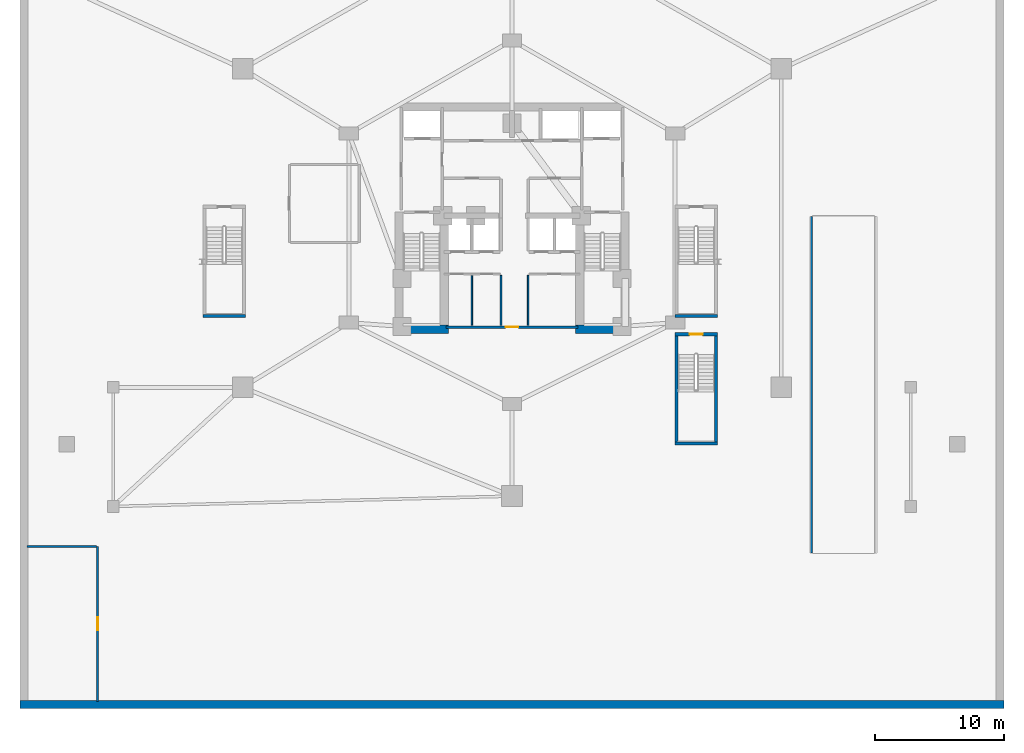
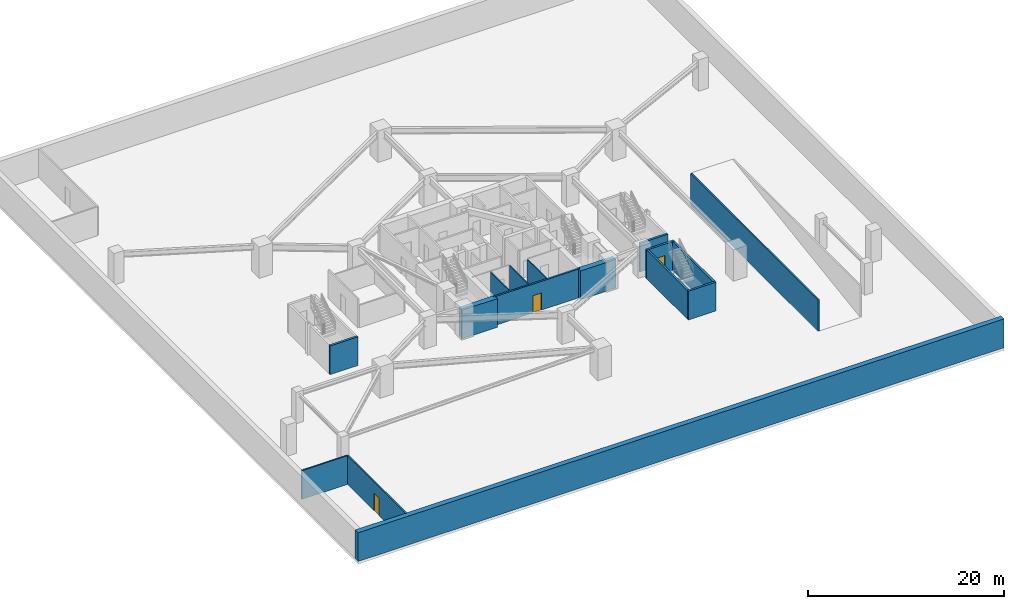
# One storey, part 5 of 12: 16 walls, 3 doors, 3 openings.
"""IFC4 building model written with IfcOpenShell, lengths in metres."""

import ifcopenshell
import ifcopenshell.guid

model = None  # the IFC model being written
_history = None  # IfcOwnerHistory: only IFC2X3 demands one
_inside = {}  # id of a spatial element -> (the spatial element, [elements in it])
_under = {}  # id of a project, library or spatial element -> (it, [spatial elements below it])
_declared = {}  # id of a project -> (the project, [libraries it declares])
_typed = {}  # id of a type object -> (the type object, [elements of that type])
_made_of = {}  # id of a material, layer set ... -> (it, [elements and type objects made of it])


def new_model(schema):
    """Start an empty IFC model of exactly this schema.

    Asked for "IFC4X3", IfcOpenShell would pick the latest addendum, in which some entities
    have other attributes; the version numbers below select the first issue.
    IFC2X3 requires an IfcOwnerHistory on every rooted entity: one is made here for all.
    """
    global model, _history
    if schema == "IFC4X3":
        model = ifcopenshell.file(schema_version=(4, 3, 0, 0))
    else:
        model = ifcopenshell.file(schema=schema)
    _inside.clear()
    _under.clear()
    _declared.clear()
    _typed.clear()
    _made_of.clear()
    _history = None
    if model.schema == "IFC2X3":
        org = make("IfcOrganization", Name="unknown")
        user = make(
            "IfcPersonAndOrganization",
            ThePerson=make("IfcPerson", FamilyName="unknown"),
            TheOrganization=org,
        )
        app = make(
            "IfcApplication",
            ApplicationDeveloper=org,
            Version="unknown",
            ApplicationFullName="unknown",
            ApplicationIdentifier="unknown",
        )
        _history = make(
            "IfcOwnerHistory",
            OwningUser=user,
            OwningApplication=app,
            ChangeAction="ADDED",
            CreationDate=0,
        )
    return model


def make(cls, **values):
    """One entity of the class cls with the attributes given. An attribute that is None is left unset."""
    return model.create_entity(
        cls, **{name: value for name, value in values.items() if value is not None}
    )


def rooted(cls, **values):
    """An entity with a GlobalId (a new one), such as an element, a storey or a relation."""
    return make(cls, GlobalId=ifcopenshell.guid.new(), OwnerHistory=_history, **values)


def si_unit(unit_type, name, prefix=None):
    """IfcSIUnit, for example si_unit("LENGTHUNIT", "METRE", prefix="MILLI")."""
    return make("IfcSIUnit", UnitType=unit_type, Prefix=prefix, Name=name)


def assignment(units):
    """IfcUnitAssignment: the units of a project."""
    return None if units is None else make("IfcUnitAssignment", Units=units)


def point(xyz):
    """IfcCartesianPoint."""
    return None if xyz is None else make("IfcCartesianPoint", Coordinates=xyz)


def direction(xyz):
    """IfcDirection."""
    return None if xyz is None else make("IfcDirection", DirectionRatios=xyz)


def frame(location, z_axis=None, x_axis=None):
    """IfcAxis2Placement3D, a coordinate frame: its origin and axes. An axis left out is left unset."""
    return make(
        "IfcAxis2Placement3D",
        Location=point(location),
        Axis=direction(z_axis),
        RefDirection=direction(x_axis),
    )


def frame_2d(location, x_axis=None):
    """IfcAxis2Placement2D, a coordinate frame in the plane: its origin and x axis."""
    return make(
        "IfcAxis2Placement2D", Location=point(location), RefDirection=direction(x_axis)
    )


def origin():
    """The frame at (0, 0, 0) with its axes left unset."""
    return frame((0.0, 0.0, 0.0))


def place(relative_to, where):
    """IfcLocalPlacement: puts the frame where relative to a parent placement (None: the world)."""
    return make(
        "IfcLocalPlacement", PlacementRelTo=relative_to, RelativePlacement=where
    )


def context(
    kind, dimensions, precision=None, world=None, true_north=None, identifier=None
):
    """IfcGeometricRepresentationContext, for example the 3D "Model" context."""
    return make(
        "IfcGeometricRepresentationContext",
        ContextIdentifier=identifier,
        ContextType=kind,
        CoordinateSpaceDimension=dimensions,
        Precision=precision,
        WorldCoordinateSystem=world,
        TrueNorth=true_north,
    )


def subcontext(parent, identifier, kind, view, scale=None):
    """IfcGeometricRepresentationSubContext, for example "Body" below "Model"."""
    return make(
        "IfcGeometricRepresentationSubContext",
        ContextIdentifier=identifier,
        ContextType=kind,
        ParentContext=parent,
        TargetScale=scale,
        TargetView=view,
    )


def project(units=None, contexts=None):
    """IfcProject with its units and contexts."""
    return rooted(
        "IfcProject",
        Name="project",
        RepresentationContexts=contexts,
        UnitsInContext=assignment(units),
    )


def spatial(cls, under=None, at=None, **own):
    """A site, building, storey or space (cls), placed at a placement, below another one or the project."""
    s = rooted(cls, ObjectPlacement=at, **own)
    if under is not None:
        _under.setdefault(under.id(), (under, []))[1].append(s)
    return s


def profile(cls, at=None, kind="AREA", **sizes):
    """A parametric profile (cls). Its sizes go by their IFC names, for example OverallWidth=200.0."""
    return make(cls, ProfileType=kind, Position=at, **sizes)


def rectangle(**sizes):
    """IfcRectangleProfileDef."""
    return profile("IfcRectangleProfileDef", **sizes)


def extrude(swept, where, along, depth):
    """IfcExtrudedAreaSolid: the profile swept, set in the frame where, extruded along a direction by depth."""
    return make(
        "IfcExtrudedAreaSolid",
        SweptArea=swept,
        Position=where,
        ExtrudedDirection=direction(along),
        Depth=depth,
    )


def shape(context_of_items, identifier, shape_type, items):
    """IfcShapeRepresentation: the items that make up one representation, for example the "Body"."""
    return make(
        "IfcShapeRepresentation",
        ContextOfItems=context_of_items,
        RepresentationIdentifier=identifier,
        RepresentationType=shape_type,
        Items=items,
    )


def material(Name=None, Category=None):
    """IfcMaterial."""
    return make("IfcMaterial", Name=Name, Category=Category)


def layer(
    of_material, thickness, ventilated=None, Name=None, Category=None, Priority=None
):
    """IfcMaterialLayer: one layer of a wall or slab, of a material (None: an air gap)."""
    return make(
        "IfcMaterialLayer",
        Material=of_material,
        LayerThickness=thickness,
        IsVentilated=ventilated,
        Name=Name,
        Category=Category,
        Priority=Priority,
    )


def layer_set(layers, Name=None):
    """IfcMaterialLayerSet."""
    return make("IfcMaterialLayerSet", MaterialLayers=layers, LayerSetName=Name)


def made_of(thing, what):
    """Note that an element or type object is made of a material, layer set ...; save() writes the relation."""
    if what is not None:
        _made_of.setdefault(what.id(), (what, []))[1].append(thing)
    return thing


def type_object(cls, material=None, **own):
    """A type object (cls), such as IfcWallType, which elements share."""
    return made_of(rooted(cls, **own), material)


def element(
    cls,
    number,
    at=None,
    inside=None,
    cuts=None,
    type_object=None,
    material=None,
    context=None,
    identifier="Body",
    shape_type=None,
    held_by="IfcProductDefinitionShape",
    body=None,
    shapes=None,
    **own,
):
    """One element of the class cls, such as IfcWall. Its Tag is "e" and its number.

    at: its placement. inside: the storey or other place that contains it. cuts: it is an
    opening in that element (IfcRelVoidsElement). A single representation is given by context,
    identifier, shape_type and body (its items); several are given by shapes. held_by: the class
    of the entity that holds the representations. save() writes the other relations.
    """
    e = rooted(cls, Tag="e%d" % number, ObjectPlacement=at, **own)
    if body is not None:
        shapes = [shape(context, identifier, shape_type, body)]
    if shapes is not None:
        e.Representation = make(held_by, Representations=shapes)
    if inside is not None:
        _inside.setdefault(inside.id(), (inside, []))[1].append(e)
    if cuts is not None:
        rooted(
            "IfcRelVoidsElement", RelatingBuildingElement=cuts, RelatedOpeningElement=e
        )
    if type_object is not None:
        _typed.setdefault(type_object.id(), (type_object, []))[1].append(e)
    return made_of(e, material)


def fill(opening, filler):
    """IfcRelFillsElement: the door or window that sits in an opening."""
    return rooted(
        "IfcRelFillsElement",
        RelatingOpeningElement=opening,
        RelatedBuildingElement=filler,
    )


def aggregate(whole, parts):
    """IfcRelAggregates: a whole, such as a stair, and the parts it consists of."""
    return rooted("IfcRelAggregates", RelatingObject=whole, RelatedObjects=parts)


def save(model, path):
    """Write the relations noted so far, then the file.

    IfcRelAggregates (storeys below a building ...), IfcRelContainedInSpatialStructure (elements
    in a storey), IfcRelDefinesByType, IfcRelAssociatesMaterial and IfcRelDeclares: one each for
    every whole, place, type object, material and project.
    """
    for whole, parts in _under.values():
        aggregate(whole, parts)
    for where, things in _inside.values():
        rooted(
            "IfcRelContainedInSpatialStructure",
            RelatedElements=things,
            RelatingStructure=where,
        )
    for kind, things in _typed.values():
        rooted("IfcRelDefinesByType", RelatedObjects=things, RelatingType=kind)
    for what, things in _made_of.values():
        rooted("IfcRelAssociatesMaterial", RelatedObjects=things, RelatingMaterial=what)
    for by, libraries in _declared.values():
        rooted("IfcRelDeclares", RelatingContext=by, RelatedDefinitions=libraries)
    model.write(path)


model = new_model("IFC4")

# Units and contexts
model_context = context("Model", 3, precision=1e-05, world=origin(), true_north=direction((0.0, 1.0)))
body_context = subcontext(model_context, "Body", "Model", "MODEL_VIEW")
ifc_project = project(units=[si_unit("LENGTHUNIT", "METRE"), si_unit("AREAUNIT", "SQUARE_METRE"), si_unit("VOLUMEUNIT", "CUBIC_METRE"), si_unit("PLANEANGLEUNIT", "RADIAN"), si_unit("MASSUNIT", "GRAM", prefix="KILO")], contexts=[model_context])

# Site, building, storey
site_placement = place(None, origin())
site = spatial("IfcSite", under=ifc_project, at=site_placement, CompositionType="ELEMENT")
building_placement = place(site_placement, origin())
building = spatial("IfcBuilding", under=site, at=building_placement, Name="Miruveldt Soraemaru", CompositionType="ELEMENT")
storey_placement = place(building_placement, frame((0.0, 0.0, -11.699951171875)))
storey = spatial("IfcBuildingStorey", under=building, at=storey_placement, Name="B3", CompositionType="ELEMENT", Elevation=-11.699951171875)

# Wall
ifc_material_1 = material(Name="Concrete C50/60 (50 MPa)", Category="concrete")
ifc_layer_1 = layer(ifc_material_1, 0.419921875, Name="Concrete C50/60 (50 MPa)", Category="concrete")
ifc_layer_set_1 = layer_set([ifc_layer_1], Name="Concrete C50/60 (50 MPa)")
wall_type_1 = type_object("IfcWallType", Name="WALL-CW-420", PredefinedType="SHEAR", material=ifc_layer_set_1)
wall_1_placement = place(storey_placement, frame((67.1201171875, 18.02001953125, 0.0), z_axis=(0.0, 0.0, 1.0), x_axis=(0.0, 1.0, 0.0)))
element("IfcWall", 1, at=wall_1_placement, inside=storey, type_object=wall_type_1, Name="B3 Car Park Ramp Shaft Structural Side Wall W", PredefinedType="SHEAR", context=body_context, shape_type="SweptSolid", body=[
    extrude(rectangle(XDim=25.9599609375, YDim=0.159912109375, at=frame_2d((12.97998046875, 0.0))), origin(), (0.0, 0.0, 1.0), 3.89990234375),
])

# Wall, opening, door
wall_2_placement = place(storey_placement, frame((56.580078125, 34.89990234375, 0.0), z_axis=(0.0, 0.0, 1.0), x_axis=(1.0, 0.0, 0.0)))
wall_2 = element("IfcWall", 2, at=wall_2_placement, inside=storey, type_object=wall_type_1, Name="B3 Basement Service Stair ST-5 Structural Shaft Wall N", PredefinedType="SHEAR", context=body_context, shape_type="SweptSolid", body=[
    extrude(rectangle(XDim=3.2900390625, YDim=0.239990234375, at=frame_2d((1.64501953125, 0.0))), origin(), (0.0, 0.0, 1.0), 3.579833984375),
])
opening_1_placement = place(wall_2_placement, frame((1.14501953125, 0.0, 0.0)))
opening_1 = element("IfcOpeningElement", 3, at=opening_1_placement, cuts=wall_2, Name="Opening FD1", PredefinedType="OPENING", context=body_context, shape_type="SweptSolid", body=[
    extrude(rectangle(XDim=1.0, YDim=2.14990234375, at=frame_2d((0.5, 1.074951171875))), frame((0.0, 0.1298828125, 0.0), z_axis=(0.0, -1.0, 0.0), x_axis=(1.0, 0.0, 0.0)), (0.0, 0.0, 1.0), 0.260009765625),
])
ifc_material_2 = material(Name="Anodised aluminium EN AW-6063 T6", Category="aluminium")
door_type = type_object("IfcDoorType", Name="DOOR-FD1-1000", OperationType="NOTDEFINED", PredefinedType="DOOR", material=ifc_material_2)
door_1_placement = place(opening_1_placement, frame((1.0, 0.0, 0.0), z_axis=(0.0, 0.0, 1.0), x_axis=(-1.0, 0.0, 0.0)))
door_1 = element("IfcDoor", 4, at=door_1_placement, inside=storey, type_object=door_type, Name="B3 Basement Service Stair ST-5 Fire Door", OperationType="SINGLE_SWING_LEFT", OverallHeight=2.14990234375, OverallWidth=1.0, PredefinedType="DOOR", context=body_context, shape_type="SweptSolid", body=[
    extrude(rectangle(XDim=1.0, YDim=2.14990234375, at=frame_2d((0.5, 1.074951171875))), frame((0.0, 0.02490234375, 0.0), z_axis=(0.0, -1.0, 0.0), x_axis=(1.0, 0.0, 0.0)), (0.0, 0.0, 1.0), 0.050048828125),
])
fill(opening_1, door_1)

# Walls
for number, where, z_axis, x_axis, name in (
    (5, (56.699951171875, 26.5, 0.0), (0.0, 0.0, 1.0), (0.0, 1.0, 0.0), "B3 Basement Service Stair ST-5 Structural Shaft Wall W"),
    (6, (59.75, 26.5, 0.0), (0.0, 0.0, 1.0), (0.0, 1.0, 0.0), "B3 Basement Service Stair ST-5 Structural Shaft Wall E"),
):
    element("IfcWall", number, at=place(storey_placement, frame(where, z_axis=z_axis, x_axis=x_axis)), inside=storey, type_object=wall_type_1, Name=name, PredefinedType="SHEAR", context=body_context, shape_type="SweptSolid", body=[
        extrude(rectangle(XDim=8.35009765625, YDim=0.239990234375, at=frame_2d((4.175048828125, 0.0))), origin(), (0.0, 0.0, 1.0), 3.579833984375),
    ])
for number, where, z_axis, x_axis, name in (
    (7, (20.1298828125, 36.300048828125, 0.0), (0.0, 0.0, 1.0), (1.0, 0.0, 0.0), "B3 Protected Exit Stair ST-3 Structural Shaft Wall S"),
    (8, (56.580078125, 36.300048828125, 0.0), (0.0, 0.0, 1.0), (1.0, 0.0, 0.0), "B3 Podium Garden Feature Stair ST-4 Structural Shaft Wall S"),
    (9, (56.580078125, 26.449951171875, 0.0), (0.0, 0.0, 1.0), (1.0, 0.0, 0.0), "B3 Basement Service Stair ST-5 Structural Shaft Wall S"),
):
    element("IfcWall", number, at=place(storey_placement, frame(where, z_axis=z_axis, x_axis=x_axis)), inside=storey, type_object=wall_type_1, Name=name, PredefinedType="SHEAR", context=body_context, shape_type="SweptSolid", body=[
        extrude(rectangle(XDim=3.2900390625, YDim=0.239990234375, at=frame_2d((1.64501953125, 0.0))), origin(), (0.0, 0.0, 1.0), 3.579833984375),
    ])
ifc_material_3 = material(Name="Concrete C80/95 (80 MPa)", Category="concrete")
ifc_layer_2 = layer(ifc_material_3, 0.64990234375, Name="Concrete C80/95 (80 MPa)", Category="concrete")
ifc_layer_set_2 = layer_set([ifc_layer_2], Name="Concrete C80/95 (80 MPa)")
wall_type_2 = type_object("IfcWallType", Name="WALL-CW-650", PredefinedType="SHEAR", material=ifc_layer_set_2)
for number, where, z_axis, x_axis, name in (
    (10, (34.949951171875, 35.27490234375, 0.0), (0.0, 0.0, 1.0), (1.0, 0.0, 0.0), "B3 Central Core Shear Wall S1"),
    (11, (48.89990234375, 35.27490234375, 0.0), (0.0, 0.0, 1.0), (1.0, 0.0, 0.0), "B3 Central Core Shear Wall S2"),
):
    element("IfcWall", number, at=place(storey_placement, frame(where, z_axis=z_axis, x_axis=x_axis)), inside=storey, type_object=wall_type_2, Name=name, PredefinedType="SHEAR", context=body_context, shape_type="SweptSolid", body=[
        extrude(rectangle(XDim=4.150146484375, YDim=0.64990234375, at=frame_2d((2.0751953125, 0.0))), origin(), (0.0, 0.0, 1.0), 3.579833984375),
    ])
ifc_material_4 = material(Name="Gypsum plasterboard lining", Category="gypsum")
ifc_layer_3 = layer(ifc_material_4, 0.1201171875, Name="Gypsum plasterboard lining", Category="gypsum")
ifc_layer_set_3 = layer_set([ifc_layer_3], Name="Gypsum plasterboard lining")
wall_type_3 = type_object("IfcWallType", Name="WALL-INT-P120", PredefinedType="PARTITIONING", material=ifc_layer_set_3)
for number, where, z_axis, x_axis, name in (
    (12, (43.14990234375, 35.580078125, 0.0), (0.0, 0.0, 1.0), (0.0, 1.0, 0.0), "B3 Core Compartment Wall SP-WS"),
    (13, (45.25, 35.580078125, 0.0), (0.0, 0.0, 1.0), (0.0, 1.0, 0.0), "B3 Core Compartment Wall SP-ES"),
):
    element("IfcWall", number, at=place(storey_placement, frame(where, z_axis=z_axis, x_axis=x_axis)), inside=storey, type_object=wall_type_3, Name=name, PredefinedType="PARTITIONING", context=body_context, shape_type="SweptSolid", body=[
        extrude(rectangle(XDim=3.869873046875, YDim=0.1201171875, at=frame_2d((1.93505859375, 0.0))), origin(), (0.0, 0.0, 1.0), 3.579833984375),
    ])
wall_3_placement = place(storey_placement, frame((40.89990234375, 35.60009765625, 0.0), z_axis=(0.0, 0.0, 1.0), x_axis=(0.0, 1.0, 0.0)))
element("IfcWall", 14, at=wall_3_placement, inside=storey, type_object=wall_type_3, Name="B3 Core Compartment Wall CW1-V", PredefinedType="PARTITIONING", context=body_context, shape_type="SweptSolid", body=[
    extrude(rectangle(XDim=3.81982421875, YDim=0.1201171875, at=frame_2d((1.909912109375, 0.0))), origin(), (0.0, 0.0, 1.0), 3.579833984375),
])

# Wall, opening, door
ifc_material_5 = material(Name="Concrete C40/50 (40 MPa)", Category="concrete")
ifc_layer_4 = layer(ifc_material_5, 0.159912109375, Name="Concrete C40/50 (40 MPa)", Category="concrete")
ifc_layer_set_4 = layer_set([ifc_layer_4], Name="Concrete C40/50 (40 MPa)")
wall_type_4 = type_object("IfcWallType", Name="WALL-INT-RC160", PredefinedType="SOLIDWALL", material=ifc_layer_set_4)
wall_4_placement = place(storey_placement, frame((12.0, 18.5, 0.0), z_axis=(0.0, 0.0, 1.0), x_axis=(0.0, -1.0, 0.0)))
wall_4 = element("IfcWall", 15, at=wall_4_placement, inside=storey, type_object=wall_type_4, Name="B3 Partition Wall 4", PredefinedType="SOLIDWALL", context=body_context, shape_type="SweptSolid", body=[
    extrude(rectangle(XDim=11.949951171875, YDim=0.159912109375, at=frame_2d((5.97509765625, 0.0))), origin(), (0.0, 0.0, 1.0), 3.579833984375),
])
opening_2_placement = place(wall_4_placement, frame((5.47509765625, 0.0, 0.0)))
opening_2 = element("IfcOpeningElement", 16, at=opening_2_placement, cuts=wall_4, Name="Opening FD1", PredefinedType="OPENING", context=body_context, shape_type="SweptSolid", body=[
    extrude(rectangle(XDim=1.0, YDim=2.14990234375, at=frame_2d((0.5, 1.074951171875))), frame((0.0, 0.08984375, 0.0), z_axis=(0.0, -1.0, 0.0), x_axis=(1.0, 0.0, 0.0)), (0.0, 0.0, 1.0), 0.179931640625),
])
door_2_placement = place(opening_2_placement, origin())
door_2 = element("IfcDoor", 17, at=door_2_placement, inside=storey, type_object=door_type, Name="B3 Smoke Extraction Fan Room Fire Door", OperationType="SINGLE_SWING_RIGHT", OverallHeight=2.14990234375, OverallWidth=1.0, PredefinedType="DOOR", context=body_context, shape_type="SweptSolid", body=[
    extrude(rectangle(XDim=1.0, YDim=2.14990234375, at=frame_2d((0.5, 1.074951171875))), frame((0.0, 0.02490234375, 0.0), z_axis=(0.0, -1.0, 0.0), x_axis=(1.0, 0.0, 0.0)), (0.0, 0.0, 1.0), 0.050048828125),
])
fill(opening_2, door_2)

# Wall
wall_5_placement = place(storey_placement, frame((6.550048828125, 18.5, 0.0), z_axis=(0.0, 0.0, 1.0), x_axis=(1.0, 0.0, 0.0)))
element("IfcWall", 18, at=wall_5_placement, inside=storey, type_object=wall_type_4, Name="B3 Partition Wall 3", PredefinedType="SOLIDWALL", context=body_context, shape_type="SweptSolid", body=[
    extrude(rectangle(XDim=5.369873046875, YDim=0.159912109375, at=frame_2d((2.68505859375, 0.0))), origin(), (0.0, 0.0, 1.0), 3.579833984375),
])

# Wall, opening, door
ifc_layer_5 = layer(ifc_material_5, 0.199951171875, Name="Concrete C40/50 (40 MPa)", Category="concrete")
ifc_layer_set_5 = layer_set([ifc_layer_5], Name="Concrete C40/50 (40 MPa)")
wall_type_5 = type_object("IfcWallType", Name="WALL-INT-RC200", PredefinedType="SOLIDWALL", material=ifc_layer_set_5)
wall_6_placement = place(storey_placement, frame((38.89990234375, 35.449951171875, 0.0), z_axis=(0.0, 0.0, 1.0), x_axis=(1.0, 0.0, 0.0)))
wall_6 = element("IfcWall", 19, at=wall_6_placement, inside=storey, type_object=wall_type_5, Name="B3 Core Compartment Wall CS-S", PredefinedType="SOLIDWALL", context=body_context, shape_type="SweptSolid", body=[
    extrude(rectangle(XDim=10.2001953125, YDim=0.199951171875, at=frame_2d((5.10009765625, 0.0))), origin(), (0.0, 0.0, 1.0), 3.579833984375),
])
opening_3_placement = place(wall_6_placement, frame((4.60009765625, 0.0, 0.0)))
opening_3 = element("IfcOpeningElement", 20, at=opening_3_placement, cuts=wall_6, Name="Opening FD1", PredefinedType="OPENING", context=body_context, shape_type="SweptSolid", body=[
    extrude(rectangle(XDim=1.0, YDim=2.14990234375, at=frame_2d((0.5, 1.074951171875))), frame((0.0, 0.10986328125, 0.0), z_axis=(0.0, -1.0, 0.0), x_axis=(1.0, 0.0, 0.0)), (0.0, 0.0, 1.0), 0.219970703125),
])
door_3_placement = place(opening_3_placement, origin())
door_3 = element("IfcDoor", 21, at=door_3_placement, inside=storey, type_object=door_type, Name="B3 Core South Lobby Fire Door", OperationType="SINGLE_SWING_LEFT", OverallHeight=2.14990234375, OverallWidth=1.0, PredefinedType="DOOR", context=body_context, shape_type="SweptSolid", body=[
    extrude(rectangle(XDim=1.0, YDim=2.14990234375, at=frame_2d((0.5, 1.074951171875))), frame((0.0, 0.02490234375, 0.0), z_axis=(0.0, -1.0, 0.0), x_axis=(1.0, 0.0, 0.0)), (0.0, 0.0, 1.0), 0.050048828125),
])
fill(opening_3, door_3)

# Wall
ifc_layer_6 = layer(ifc_material_1, 0.60009765625, Name="Concrete C50/60 (50 MPa)", Category="concrete")
ifc_layer_set_6 = layer_set([ifc_layer_6], Name="Concrete C50/60 (50 MPa)")
wall_type_6 = type_object("IfcWallType", Name="WALL-RET-600", PredefinedType="SOLIDWALL", material=ifc_layer_set_6)
wall_7_placement = place(storey_placement, frame((6.0, 6.300048828125, 0.0), z_axis=(0.0, 0.0, 1.0), x_axis=(1.0, 0.0, 0.0)))
element("IfcWall", 22, at=wall_7_placement, inside=storey, type_object=wall_type_6, Name="B3 Perimeter Slurry Retaining Wall S", PredefinedType="SOLIDWALL", context=body_context, shape_type="SweptSolid", body=[
    extrude(rectangle(XDim=76.0, YDim=0.60009765625, at=frame_2d((38.0, 0.0))), origin(), (0.0, 0.0, 1.0), 3.579833984375),
])

save(model, "model.ifc")
